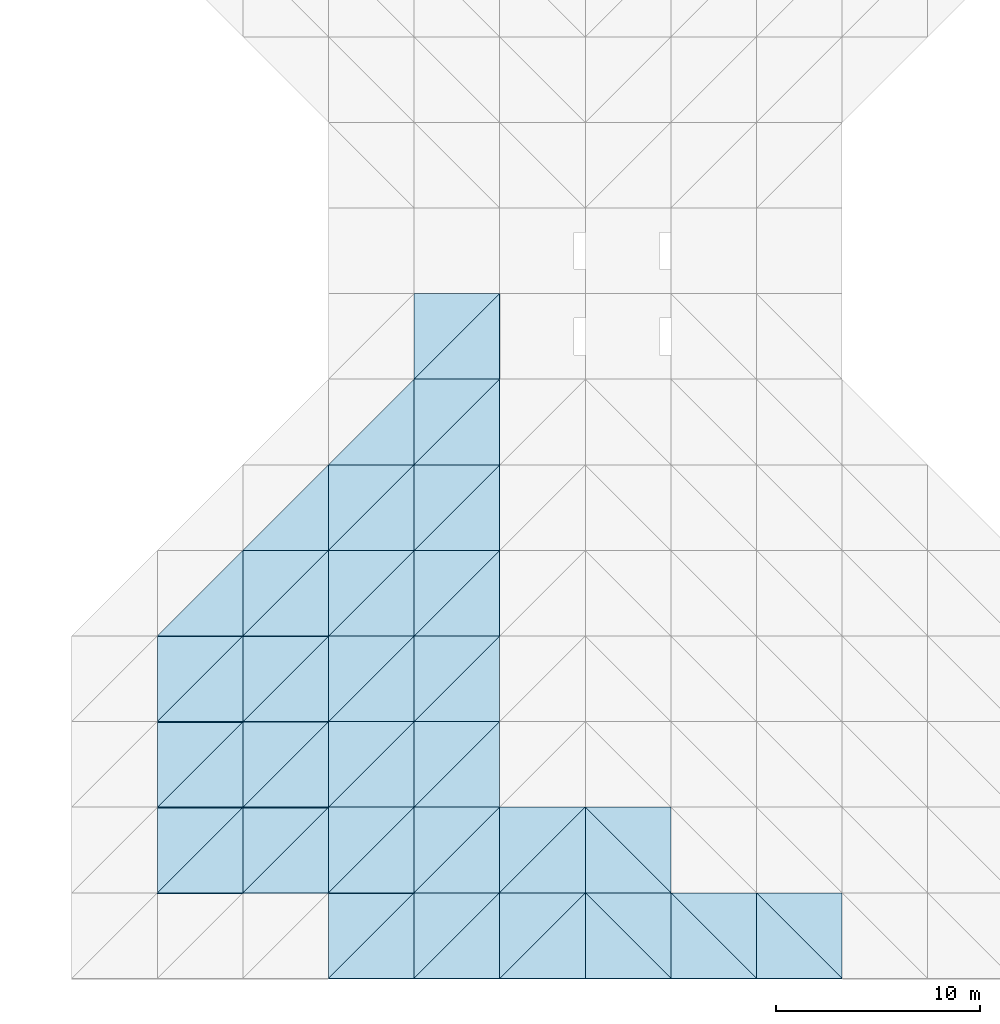
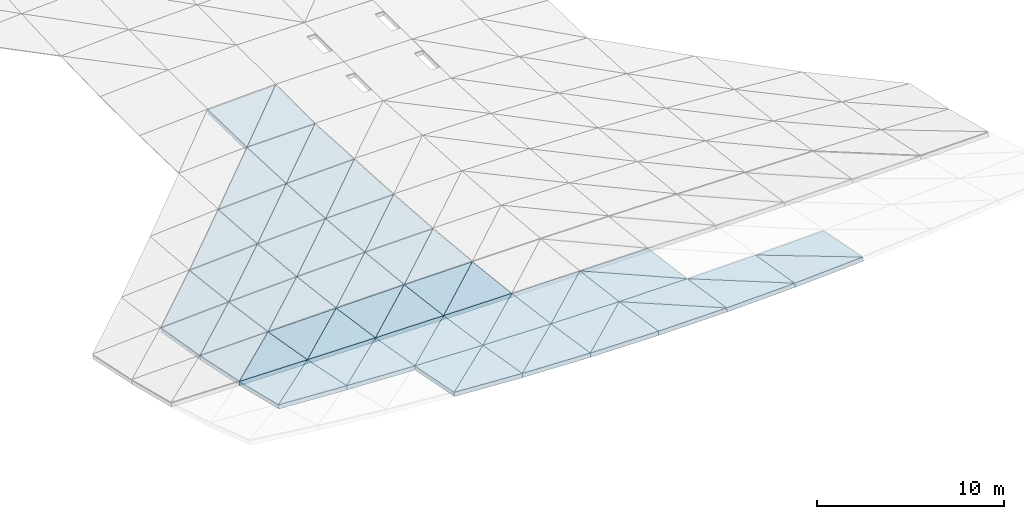
# One storey, part 21 of 64: 57 slabs.
"""IFC4 building model written with IfcOpenShell, lengths in metres."""

from ifc_helpers import new_model, si_unit, direction, frame, origin, place, context, subcontext, project, spatial, polyline, outline, extrude, material, layer, layer_set, type_object, element, save


model = new_model("IFC4")

# Units and contexts
model_context = context("Model", 3, precision=1e-05, world=origin(), true_north=direction((0.0, 1.0)))
body_context = subcontext(model_context, "Body", "Model", "MODEL_VIEW")
ifc_project = project(units=[si_unit("LENGTHUNIT", "METRE"), si_unit("AREAUNIT", "SQUARE_METRE"), si_unit("VOLUMEUNIT", "CUBIC_METRE"), si_unit("PLANEANGLEUNIT", "RADIAN"), si_unit("MASSUNIT", "GRAM", prefix="KILO")], contexts=[model_context])

# Site, building, storey
site_placement = place(None, origin())
site = spatial("IfcSite", under=ifc_project, at=site_placement, CompositionType="ELEMENT")
building_placement = place(site_placement, origin())
building = spatial("IfcBuilding", under=site, at=building_placement, Name="Cumbredor Promenade Congress Hotel", CompositionType="ELEMENT")
storey_placement = place(building_placement, frame((0.0, 0.0, 18.47998046875)))
storey = spatial("IfcBuildingStorey", under=building, at=storey_placement, Name="L05", CompositionType="ELEMENT", Elevation=18.47998046875)

# Slabs
ifc_material = material(Name="Concrete C40/50", Category="concrete")
ifc_layer = layer(ifc_material, 0.25, Name="Concrete C40/50", Category="concrete")
ifc_layer_set = layer_set([ifc_layer], Name="Concrete C40/50")
slab_type = type_object("IfcSlabType", Name="Catenary Space Frame Roof Deck 250mm", PredefinedType="ROOF", material=ifc_layer_set)
slab_1_placement = place(storey_placement, frame((142.800048828125, 4.199951171875, 3.02685546875), z_axis=(0.052565284808, 0.198655816612, 0.978658652115), x_axis=(0.998560647635, 0.0, -0.053634252073)))
element("IfcSlab", 1, at=slab_1_placement, inside=storey, type_object=slab_type, Name="Grand Ballroom Pavilion Sweeping Roof Deck Facet 2.2.1", PredefinedType="ROOF", context=body_context, shape_type="SweptSolid", body=[
    extrude(outline(polyline([(0.0, 0.0), (4.206005095257487, 0.0), (4.25173039023782, 4.285361349597198), (0.0, 0.0)])), origin(), (0.0, 0.0, -1.0), 0.25),
])
slab_2_placement = place(storey_placement, frame((142.800048828125, 4.199951171875, 3.02685546875), z_axis=(0.011857071565, 0.237480204781, 0.971320010188), x_axis=(0.695738314887, 0.695738314887, -0.178595616959)))
element("IfcSlab", 2, at=slab_2_placement, inside=storey, type_object=slab_type, Name="Grand Ballroom Pavilion Sweeping Roof Deck Facet 2.2.2", PredefinedType="ROOF", context=body_context, shape_type="SweptSolid", body=[
    extrude(outline(polyline([(0.0, 0.0), (6.036682301388186, -2.7755575615628914e-16), (3.105458836896108, 3.0083462919318045), (0.0, 0.0)])), origin(), (0.0, 0.0, -1.0), 0.25),
])
slab_3_placement = place(storey_placement, frame((142.800048828125, 8.39990234375, 2.0), z_axis=(0.012025544789, 0.171439944287, 0.985121176189), x_axis=(0.999925500788, 0.0, -0.012206263743)))
element("IfcSlab", 3, at=slab_3_placement, inside=storey, type_object=slab_type, Name="Grand Ballroom Pavilion Sweeping Roof Deck Facet 2.3.1", PredefinedType="ROOF", context=body_context, shape_type="SweptSolid", body=[
    extrude(outline(polyline([(0.0, 0.0), (4.200264088241212, 0.0), (4.20918634254922, 4.2633155217575505), (0.0, 0.0)])), origin(), (0.0, 0.0, -1.0), 0.25),
])
slab_4_placement = place(storey_placement, frame((142.800048828125, 8.39990234375, 2.0), z_axis=(-0.022865039606, 0.205090896149, 0.978475811801), x_axis=(0.701033388831, 0.701074139479, -0.130565074569)))
element("IfcSlab", 4, at=slab_4_placement, inside=storey, type_object=slab_type, Name="Grand Ballroom Pavilion Sweeping Roof Deck Facet 2.3.2", PredefinedType="ROOF", context=body_context, shape_type="SweptSolid", body=[
    extrude(outline(polyline([(0.0, 0.0), (5.991085786763676, -5.551115123125783e-17), (3.059594031858663, 3.0092487909896053), (0.0, 0.0)])), origin(), (0.0, 0.0, -1.0), 0.25),
])
slab_5_placement = place(storey_placement, frame((142.800048828125, 12.60009765625, 1.11962890625), z_axis=(-0.023120069261, 0.143436449594, 0.989389431582), x_axis=(0.999727079655, 0.0, 0.023361639599)))
element("IfcSlab", 5, at=slab_5_placement, inside=storey, type_object=slab_type, Name="Grand Ballroom Pavilion Sweeping Roof Deck Facet 2.4.1", PredefinedType="ROOF", context=body_context, shape_type="SweptSolid", body=[
    extrude(outline(polyline([(0.0, 0.0), (4.2010977369193006, -1.734723475976807e-18), (4.186873144839257, 4.243834415170376), (0.0, 0.0)])), origin(), (0.0, 0.0, -1.0), 0.25),
])
slab_6_placement = place(storey_placement, frame((142.800048828125, 12.60009765625, 1.11962890625), z_axis=(-0.052209220159, 0.17183867095, 0.983740651034), x_axis=(0.704506982586, 0.704506982586, -0.085672766818)))
element("IfcSlab", 6, at=slab_6_placement, inside=storey, type_object=slab_type, Name="Grand Ballroom Pavilion Sweeping Roof Deck Facet 2.4.2", PredefinedType="ROOF", context=body_context, shape_type="SweptSolid", body=[
    extrude(outline(polyline([(0.0, 0.0), (5.961546550548831, 1.3877787807814457e-17), (3.0217481166309876, 3.007799793571567), (0.0, 0.0)])), origin(), (0.0, 0.0, -1.0), 0.25),
])
slab_7_placement = place(storey_placement, frame((142.800048828125, 16.800048828125, 0.385986328125), z_axis=(-0.052645368045, 0.115093269022, 0.991958670837), x_axis=(0.99859464216, 0.0, 0.052997553234)))
element("IfcSlab", 7, at=slab_7_placement, inside=storey, type_object=slab_type, Name="Grand Ballroom Pavilion Sweeping Roof Deck Facet 2.5.1", PredefinedType="ROOF", context=body_context, shape_type="SweptSolid", body=[
    extrude(outline(polyline([(0.0, 0.0), (4.205861912887175, -3.469446951953614e-18), (4.180035956769995, 4.228047862144455), (0.0, 0.0)])), origin(), (0.0, 0.0, -1.0), 0.25),
])
slab_8_placement = place(storey_placement, frame((147.0, 4.199951171875, 2.80126953125), z_axis=(0.041164007817, 0.168148387982, 0.984901844896), x_axis=(0.999127730104, 0.0, -0.041758579198)))
element("IfcSlab", 8, at=slab_8_placement, inside=storey, type_object=slab_type, Name="Grand Ballroom Pavilion Sweeping Roof Deck Facet 3.2.1", PredefinedType="ROOF", context=body_context, shape_type="SweptSolid", body=[
    extrude(outline(polyline([(0.0, 0.0), (4.203617861188373, 0.0), (4.233560475227639, 4.260615108653587), (0.0, 0.0)])), origin(), (0.0, 0.0, -1.0), 0.25),
])
slab_9_placement = place(storey_placement, frame((147.0, 4.199951171875, 2.80126953125), z_axis=(0.009342277809, 0.198922159191, 0.979970763048), x_axis=(0.699255357057, 0.699255357057, -0.148606498018)))
element("IfcSlab", 9, at=slab_9_placement, inside=storey, type_object=slab_type, Name="Grand Ballroom Pavilion Sweeping Roof Deck Facet 3.2.2", PredefinedType="ROOF", context=body_context, shape_type="SweptSolid", body=[
    extrude(outline(polyline([(0.0, 0.0), (6.006319621989566, -4.163336342344337e-17), (3.0635312008145505, 2.9968632402661157), (0.0, 0.0)])), origin(), (0.0, 0.0, -1.0), 0.25),
])
slab_10_placement = place(storey_placement, frame((147.0, 8.39990234375, 1.94873046875), z_axis=(0.009432383044, 0.144755659351, 0.989422472575), x_axis=(0.999954561946, 0.0, -0.009532787779)))
element("IfcSlab", 10, at=slab_10_placement, inside=storey, type_object=slab_type, Name="Grand Ballroom Pavilion Sweeping Roof Deck Facet 3.3.1", PredefinedType="ROOF", context=body_context, shape_type="SweptSolid", body=[
    extrude(outline(polyline([(0.0, 0.0), (4.20014201815368, -8.673617379884035e-19), (4.205999934862496, 4.244905063526538), (0.0, 0.0)])), origin(), (0.0, 0.0, -1.0), 0.25),
])
slab_11_placement = place(storey_placement, frame((147.0, 8.39990234375, 1.94873046875), z_axis=(-0.01792220529, 0.171424803992, 0.985034177648), x_axis=(0.702831823253, 0.702872678442, -0.109532762782)))
element("IfcSlab", 11, at=slab_11_placement, inside=storey, type_object=slab_type, Name="Grand Ballroom Pavilion Sweeping Roof Deck Facet 3.3.2", PredefinedType="ROOF", context=body_context, shape_type="SweptSolid", body=[
    extrude(outline(polyline([(0.0, 0.0), (5.975755554774357, -3.7470027081099033e-16), (3.032266272384999, 2.9968817290705974), (0.0, 0.0)])), origin(), (0.0, 0.0, -1.0), 0.25),
])
slab_12_placement = place(storey_placement, frame((147.0, 12.60009765625, 1.2177734375), z_axis=(-0.018057742267, 0.12103879641, 0.992483515081), x_axis=(0.999834521151, 0.0, 0.018191490154)))
element("IfcSlab", 12, at=slab_12_placement, inside=storey, type_object=slab_type, Name="Grand Ballroom Pavilion Sweeping Roof Deck Facet 3.4.1", PredefinedType="ROOF", context=body_context, shape_type="SweptSolid", body=[
    extrude(outline(polyline([(0.0, 0.0), (4.2006462899866, 1.734723475976807e-18), (4.191328480820773, 4.231058858894363), (0.0, 0.0)])), origin(), (0.0, 0.0, -1.0), 0.25),
])
slab_13_placement = place(storey_placement, frame((147.0, 12.60009765625, 1.2177734375), z_axis=(-0.040753458414, 0.143355606889, 0.988831798437), x_axis=(0.705211193086, 0.705211193086, -0.073173398806)))
element("IfcSlab", 13, at=slab_13_placement, inside=storey, type_object=slab_type, Name="Grand Ballroom Pavilion Sweeping Roof Deck Facet 3.4.2", PredefinedType="ROOF", context=body_context, shape_type="SweptSolid", body=[
    extrude(outline(polyline([(0.0, 0.0), (5.955593463423091, 4.163336342344337e-17), (3.0064068875190855, 2.995304743942114), (0.0, 0.0)])), origin(), (0.0, 0.0, -1.0), 0.25),
])
slab_14_placement = place(storey_placement, frame((147.0, 16.800048828125, 0.60888671875), z_axis=(-0.040984605326, 0.096998826145, 0.994440289737), x_axis=(0.999151794145, 0.0, 0.041178784052)))
element("IfcSlab", 14, at=slab_14_placement, inside=storey, type_object=slab_type, Name="Grand Ballroom Pavilion Sweeping Roof Deck Facet 3.5.1", PredefinedType="ROOF", context=body_context, shape_type="SweptSolid", body=[
    extrude(outline(polyline([(0.0, 0.0), (4.203516619281352, 3.469446951953614e-18), (4.186646990463114, 4.219849891450817), (0.0, 0.0)])), origin(), (0.0, 0.0, -1.0), 0.25),
])
slab_15_placement = place(storey_placement, frame((147.0, 16.800048828125, 0.60888671875), z_axis=(-0.05919707046, 0.115050976279, 0.991594160787), x_axis=(0.706546575075, 0.706546575075, -0.039797920784)))
element("IfcSlab", 15, at=slab_15_placement, inside=storey, type_object=slab_type, Name="Grand Ballroom Pavilion Sweeping Roof Deck Facet 3.5.2", PredefinedType="ROOF", context=body_context, shape_type="SweptSolid", body=[
    extrude(outline(polyline([(0.0, 0.0), (5.944337316230575, 1.4224732503009818e-16), (2.986854829322584, 2.9926165696837965), (0.0, 0.0)])), origin(), (0.0, 0.0, -1.0), 0.25),
])
slab_16_placement = place(storey_placement, frame((147.0, 21.0, 0.12158203125), z_axis=(-0.059434651655, 0.072803107869, 0.995573819296), x_axis=(0.998222770352, 0.0, 0.059592791092)))
element("IfcSlab", 16, at=slab_16_placement, inside=storey, type_object=slab_type, Name="Grand Ballroom Pavilion Sweeping Roof Deck Facet 3.6.1", PredefinedType="ROOF", context=body_context, shape_type="SweptSolid", body=[
    extrude(outline(polyline([(0.0, 0.0), (4.207428738970333, -3.469446951953614e-18), (4.18912607022193, 4.211126099216835), (0.0, 0.0)])), origin(), (0.0, 0.0, -1.0), 0.25),
])
slab_17_placement = place(storey_placement, frame((151.199951171875, 0.0, 3.445068359375), z_axis=(0.055342530466, 0.166142053717, 0.984547623179), x_axis=(0.998423888695, 0.0, -0.056122530975)))
element("IfcSlab", 17, at=slab_17_placement, inside=storey, type_object=slab_type, Name="Grand Ballroom Pavilion Sweeping Roof Deck Facet 4.1.1", PredefinedType="ROOF", context=body_context, shape_type="SweptSolid", body=[
    extrude(outline(polyline([(0.0, 0.0), (4.206581212078588, 6.938893903907228e-18), (4.246357507835741, 4.259145502592269), (0.0, 0.0)])), origin(), (0.0, 0.0, -1.0), 0.25),
])
slab_18_placement = place(storey_placement, frame((151.199951171875, 0.0, 3.445068359375), z_axis=(0.029313092974, 0.191390544791, 0.981076144825), x_axis=(0.698326858274, 0.698326858274, -0.157096142622)))
element("IfcSlab", 18, at=slab_18_placement, inside=storey, type_object=slab_type, Name="Grand Ballroom Pavilion Sweeping Roof Deck Facet 4.1.2", PredefinedType="ROOF", context=body_context, shape_type="SweptSolid", body=[
    extrude(outline(polyline([(0.0, 0.0), (6.014305653739666, 8.326672684688674e-17), (3.0616532220518025, 2.9895117950115218), (0.0, 0.0)])), origin(), (0.0, 0.0, -1.0), 0.25),
])
slab_19_placement = place(storey_placement, frame((151.199951171875, 4.199951171875, 2.625732421875), z_axis=(0.029545158149, 0.14600136517, 0.988843104339), x_axis=(0.99955393597, 0.0, -0.029865181834)))
element("IfcSlab", 19, at=slab_19_placement, inside=storey, type_object=slab_type, Name="Grand Ballroom Pavilion Sweeping Roof Deck Facet 4.2.1", PredefinedType="ROOF", context=body_context, shape_type="SweptSolid", body=[
    extrude(outline(polyline([(0.0, 0.0), (4.201825455068936, 0.0), (4.220345367631959, 4.245443697095245), (0.0, 0.0)])), origin(), (0.0, 0.0, -1.0), 0.25),
])
slab_20_placement = place(storey_placement, frame((151.199951171875, 4.199951171875, 2.625732421875), z_axis=(0.006703986431, 0.168287249121, 0.98571520144), x_axis=(0.701600495916, 0.701600495916, -0.124553154364)))
element("IfcSlab", 20, at=slab_20_placement, inside=storey, type_object=slab_type, Name="Grand Ballroom Pavilion Sweeping Roof Deck Facet 4.2.2", PredefinedType="ROOF", context=body_context, shape_type="SweptSolid", body=[
    extrude(outline(polyline([(0.0, 0.0), (5.98624316306131, 8.326672684688674e-17), (3.0359975453132293, 2.989390668526742), (0.0, 0.0)])), origin(), (0.0, 0.0, -1.0), 0.25),
])
slab_21_placement = place(storey_placement, frame((151.199951171875, 8.39990234375, 1.90869140625), z_axis=(0.006747179594, 0.125536377656, 0.992066073128), x_axis=(0.999976873054, 0.0, -0.006800982047)))
element("IfcSlab", 21, at=slab_21_placement, inside=storey, type_object=slab_type, Name="Grand Ballroom Pavilion Sweeping Roof Deck Facet 4.3.1", PredefinedType="ROOF", context=body_context, shape_type="SweptSolid", body=[
    extrude(outline(polyline([(0.0, 0.0), (4.200048306164646, 0.0), (4.2036629882729, 4.233687945366184), (0.0, 0.0)])), origin(), (0.0, 0.0, -1.0), 0.25),
])
slab_22_placement = place(storey_placement, frame((151.199951171875, 8.39990234375, 1.90869140625), z_axis=(-0.012825256023, 0.14475019298, 0.989385109267), x_axis=(0.703963880074, 0.704004801069, -0.093872762942)))
element("IfcSlab", 22, at=slab_22_placement, inside=storey, type_object=slab_type, Name="Grand Ballroom Pavilion Sweeping Roof Deck Facet 4.3.2", PredefinedType="ROOF", context=body_context, shape_type="SweptSolid", body=[
    extrude(outline(polyline([(0.0, 0.0), (5.966145836108467, -3.469446951953614e-17), (3.014642661601845, 2.9885084802274804), (0.0, 0.0)])), origin(), (0.0, 0.0, -1.0), 0.25),
])
slab_23_placement = place(storey_placement, frame((151.199951171875, 12.60009765625, 1.294189453125), z_axis=(-0.012890312655, 0.104856624021, 0.994403805422), x_axis=(0.999915992778, 0.0, 0.012961766342)))
element("IfcSlab", 23, at=slab_23_placement, inside=storey, type_object=slab_type, Name="Grand Ballroom Pavilion Sweeping Roof Deck Facet 4.4.1", PredefinedType="ROOF", context=body_context, shape_type="SweptSolid", body=[
    extrude(outline(polyline([(0.0, 0.0), (4.20030402774778, 0.0), (4.194563636110758, 4.2232323757659085), (0.0, 0.0)])), origin(), (0.0, 0.0, -1.0), 0.25),
])
slab_24_placement = place(storey_placement, frame((151.199951171875, 12.60009765625, 1.294189453125), z_axis=(-0.029242340256, 0.121006765005, 0.992220866722), x_axis=(0.705599595622, 0.705599595622, -0.065256580633)))
element("IfcSlab", 24, at=slab_24_placement, inside=storey, type_object=slab_type, Name="Grand Ballroom Pavilion Sweeping Roof Deck Facet 4.4.2", PredefinedType="ROOF", context=body_context, shape_type="SweptSolid", body=[
    extrude(outline(polyline([(0.0, 0.0), (5.952315162783306, -5.412337245047638e-16), (2.996908727943137, 2.9867179253110545), (0.0, 0.0)])), origin(), (0.0, 0.0, -1.0), 0.25),
])
slab_25_placement = place(storey_placement, frame((151.199951171875, 16.800048828125, 0.781982421875), z_axis=(-0.029354670726, 0.084011099061, 0.99603234814), x_axis=(0.999565994989, 0.0, 0.029458812966)))
element("IfcSlab", 25, at=slab_25_placement, inside=storey, type_object=slab_type, Name="Grand Ballroom Pavilion Sweeping Roof Deck Facet 4.5.1", PredefinedType="ROOF", context=body_context, shape_type="SweptSolid", body=[
    extrude(outline(polyline([(0.0, 0.0), (4.201774763176752, 0.0), (4.19133903622018, 4.214851435157807), (0.0, 0.0)])), origin(), (0.0, 0.0, -1.0), 0.25),
])
slab_26_placement = place(storey_placement, frame((151.199951171875, 16.800048828125, 0.781982421875), z_axis=(-0.042427203509, 0.096992980229, 0.9943803569), x_axis=(0.706575076415, 0.706575076415, -0.038772706629)))
element("IfcSlab", 26, at=slab_26_placement, inside=storey, type_object=slab_type, Name="Grand Ballroom Pavilion Sweeping Roof Deck Facet 4.5.2", PredefinedType="ROOF", context=body_context, shape_type="SweptSolid", body=[
    extrude(outline(polyline([(0.0, 0.0), (5.944097537641433, -1.3877787807814457e-16), (2.983464756172851, 2.984351812274888), (0.0, 0.0)])), origin(), (0.0, 0.0, -1.0), 0.25),
])
slab_27_placement = place(storey_placement, frame((151.199951171875, 21.0, 0.372314453125), z_axis=(-0.042543191666, 0.06311925848, 0.997098809573), x_axis=(0.999091005461, 0.0, 0.042628192641)))
element("IfcSlab", 27, at=slab_27_placement, inside=storey, type_object=slab_type, Name="Grand Ballroom Pavilion Sweeping Roof Deck Facet 4.6.1", PredefinedType="ROOF", context=body_context, shape_type="SweptSolid", body=[
    extrude(outline(polyline([(0.0, 0.0), (4.203772378011778, 0.0), (4.192438857067843, 4.208342642581979), (0.0, 0.0)])), origin(), (0.0, 0.0, -1.0), 0.25),
])
slab_28_placement = place(storey_placement, frame((151.199951171875, 21.0, 0.372314453125), z_axis=(-0.052279466529, 0.072832302208, 0.995973048398), x_axis=(0.707031514293, 0.707031514293, -0.014590256791)))
element("IfcSlab", 28, at=slab_28_placement, inside=storey, type_object=slab_type, Name="Grand Ballroom Pavilion Sweeping Roof Deck Facet 4.6.2", PredefinedType="ROOF", context=body_context, shape_type="SweptSolid", body=[
    extrude(outline(polyline([(0.0, 0.0), (5.940260210430701, 2.0383000842727483e-16), (2.9739789266173466, 2.9815042101637967), (0.0, 0.0)])), origin(), (0.0, 0.0, -1.0), 0.25),
])
slab_29_placement = place(storey_placement, frame((151.199951171875, 25.199951171875, 0.065185546875), z_axis=(-0.052372191237, 0.042106545778, 0.997739541357), x_axis=(0.998625195951, 0.0, 0.052418679994)))
element("IfcSlab", 29, at=slab_29_placement, inside=storey, type_object=slab_type, Name="Grand Ballroom Pavilion Sweeping Roof Deck Facet 4.7.1", PredefinedType="ROOF", context=body_context, shape_type="SweptSolid", body=[
    extrude(outline(polyline([(0.0, 0.0), (4.2057332309510365, 0.0), (4.1964422246824995, 4.203679305214223), (0.0, 0.0)])), origin(), (0.0, 0.0, -1.0), 0.25),
])
slab_30_placement = place(storey_placement, frame((155.39990234375, 0.0, 3.208984375), z_axis=(0.033364758538, 0.151040302528, 0.987964381898), x_axis=(0.999430239795, 0.0, -0.033751974501)))
element("IfcSlab", 30, at=slab_30_placement, inside=storey, type_object=slab_type, Name="Grand Ballroom Pavilion Sweeping Roof Deck Facet 5.1.1", PredefinedType="ROOF", context=body_context, shape_type="SweptSolid", body=[
    extrude(outline(polyline([(0.0, 0.0), (4.202589780913907, 3.469446951953614e-18), (4.224261580947727, 4.248693863608484), (0.0, 0.0)])), origin(), (0.0, 0.0, -1.0), 0.25),
])
slab_31_placement = place(storey_placement, frame((155.39990234375, 0.0, 3.208984375), z_axis=(0.017650477076, 0.166371147608, 0.985905219533), x_axis=(0.701048001416, 0.701007252288, -0.130845450625)))
element("IfcSlab", 31, at=slab_31_placement, inside=storey, type_object=slab_type, Name="Grand Ballroom Pavilion Sweeping Roof Deck Facet 5.1.2", PredefinedType="ROOF", context=body_context, shape_type="SweptSolid", body=[
    extrude(outline(polyline([(0.0, 0.0), (5.991309160019649, -6.938893903907228e-17), (3.036931666083743, 2.986460885646075), (0.0, 0.0)])), origin(), (0.0, 0.0, -1.0), 0.25),
])
slab_32_placement = place(storey_placement, frame((155.39990234375, 4.199951171875, 2.500244140625), z_axis=(0.017741856006, 0.132610800752, 0.99100938546), x_axis=(0.99983978315, 0.0, -0.017899944967)))
element("IfcSlab", 32, at=slab_32_placement, inside=storey, type_object=slab_type, Name="Grand Ballroom Pavilion Sweeping Roof Deck Facet 5.2.1", PredefinedType="ROOF", context=body_context, shape_type="SweptSolid", body=[
    extrude(outline(polyline([(0.0, 0.0), (4.200868362394726, 1.734723475976807e-18), (4.210928341231096, 4.237374873075586), (0.0, 0.0)])), origin(), (0.0, 0.0, -1.0), 0.25),
])
slab_33_placement = place(storey_placement, frame((155.39990234375, 4.199951171875, 2.500244140625), z_axis=(0.004025150391, 0.146063947144, 0.989266961699), x_axis=(0.703093144395, 0.703052276391, -0.106665490983)))
element("IfcSlab", 33, at=slab_33_placement, inside=storey, type_object=slab_type, Name="Grand Ballroom Pavilion Sweeping Roof Deck Facet 5.2.2", PredefinedType="ROOF", context=body_context, shape_type="SweptSolid", body=[
    extrude(outline(polyline([(0.0, 0.0), (5.973881762301259, -1.249000902703301e-16), (3.018930336388315, 2.9849949407664718), (0.0, 0.0)])), origin(), (0.0, 0.0, -1.0), 0.25),
])
slab_34_placement = place(storey_placement, frame((155.39990234375, 8.39990234375, 1.880126953125), z_axis=(0.004042292465, 0.113934900489, 0.993479993921), x_axis=(0.99999172245, 0.0, -0.004068787524)))
element("IfcSlab", 34, at=slab_34_placement, inside=storey, type_object=slab_type, Name="Grand Ballroom Pavilion Sweeping Roof Deck Facet 5.3.1", PredefinedType="ROOF", context=body_context, shape_type="SweptSolid", body=[
    extrude(outline(polyline([(0.0, 0.0), (4.200230080115418, 0.0), (4.202189972152976, 4.227725340087981), (0.0, 0.0)])), origin(), (0.0, 0.0, -1.0), 0.25),
])
slab_35_placement = place(storey_placement, frame((155.39990234375, 8.39990234375, 1.880126953125), z_axis=(-0.007727035053, 0.125535487394, 0.992059037726), x_axis=(0.704626998506, 0.704626998506, -0.083675480002)))
element("IfcSlab", 35, at=slab_35_placement, inside=storey, type_object=slab_type, Name="Grand Ballroom Pavilion Sweeping Roof Deck Facet 5.3.2", PredefinedType="ROOF", context=body_context, shape_type="SweptSolid", body=[
    extrude(outline(polyline([(0.0, 0.0), (5.960877629450639, -2.0122792321330962e-16), (3.004044043519712, 2.9832609790729707), (0.0, 0.0)])), origin(), (0.0, 0.0, -1.0), 0.25),
])
slab_36_placement = place(storey_placement, frame((155.39990234375, 12.60009765625, 1.3486328125), z_axis=(-0.007753328567, 0.095128456032, 0.995434810899), x_axis=(0.999969668005, 0.0, 0.007788650053)))
element("IfcSlab", 36, at=slab_36_placement, inside=storey, type_object=slab_type, Name="Grand Ballroom Pavilion Sweeping Roof Deck Facet 5.4.1", PredefinedType="ROOF", context=body_context, shape_type="SweptSolid", body=[
    extrude(outline(polyline([(0.0, 0.0), (4.200322716666966, 0.0), (4.197196608100751, 4.219084698460209), (0.0, 0.0)])), origin(), (0.0, 0.0, -1.0), 0.25),
])
slab_37_placement = place(storey_placement, frame((155.39990234375, 12.60009765625, 1.3486328125), z_axis=(-0.017570170079, 0.104849148819, 0.994332914629), x_axis=(0.705769314453, 0.705728290894, -0.061945574565)))
element("IfcSlab", 37, at=slab_37_placement, inside=storey, type_object=slab_type, Name="Grand Ballroom Pavilion Sweeping Roof Deck Facet 5.4.2", PredefinedType="ROOF", context=body_context, shape_type="SweptSolid", body=[
    extrude(outline(polyline([(0.0, 0.0), (5.951229709886314, -5.898059818321144e-16), (2.9914582667259104, 2.9810907551181196), (0.0, 0.0)])), origin(), (0.0, 0.0, -1.0), 0.25),
])
slab_38_placement = place(storey_placement, frame((155.39990234375, 16.800048828125, 0.90576171875), z_axis=(-0.017616175654, 0.076205978844, 0.996936466955), x_axis=(0.999843916636, 0.0, 0.017667551189)))
element("IfcSlab", 38, at=slab_38_placement, inside=storey, type_object=slab_type, Name="Grand Ballroom Pavilion Sweeping Roof Deck Facet 5.5.1", PredefinedType="ROOF", context=body_context, shape_type="SweptSolid", body=[
    extrude(outline(polyline([(0.0, 0.0), (4.200850995453009, 0.0), (4.195178917861777, 4.2121998427818825), (0.0, 0.0)])), origin(), (0.0, 0.0, -1.0), 0.25),
])
slab_39_placement = place(storey_placement, frame((155.39990234375, 16.800048828125, 0.90576171875), z_axis=(-0.025476683623, 0.084020038151, 0.996138329641), x_axis=(0.706517592658, 0.706476525605, -0.041518791338)))
element("IfcSlab", 39, at=slab_39_placement, inside=storey, type_object=slab_type, Name="Grand Ballroom Pavilion Sweeping Roof Deck Facet 5.5.2", PredefinedType="ROOF", context=body_context, shape_type="SweptSolid", body=[
    extrude(outline(polyline([(0.0, 0.0), (5.944926716823651, -1.249000902703301e-16), (2.9818748623549083, 2.978842699792125), (0.0, 0.0)])), origin(), (0.0, 0.0, -1.0), 0.25),
])
slab_40_placement = place(storey_placement, frame((155.39990234375, 21.0, 0.551513671875), z_axis=(-0.025525222763, 0.05720302872, 0.998036210019), x_axis=(0.999673108598, 0.0, 0.025567087176)))
element("IfcSlab", 40, at=slab_40_placement, inside=storey, type_object=slab_type, Name="Grand Ballroom Pavilion Sweeping Roof Deck Facet 5.6.1", PredefinedType="ROOF", context=body_context, shape_type="SweptSolid", body=[
    extrude(outline(polyline([(0.0, 0.0), (4.201568769206984, -8.673617379884035e-19), (4.195414192069303, 4.2068395933938945), (0.0, 0.0)])), origin(), (0.0, 0.0, -1.0), 0.25),
])
slab_41_placement = place(storey_placement, frame((155.39990234375, 21.0, 0.551513671875), z_axis=(-0.031483761975, 0.063145137762, 0.997507626191), x_axis=(0.70694932997, 0.706908237821, -0.022436313309)))
element("IfcSlab", 41, at=slab_41_placement, inside=storey, type_object=slab_type, Name="Grand Ballroom Pavilion Sweeping Roof Deck Facet 5.6.2", PredefinedType="ROOF", context=body_context, shape_type="SweptSolid", body=[
    extrude(outline(polyline([(0.0, 0.0), (5.941296121854476, 2.0816681711721685e-17), (2.974945205184085, 2.976571395452004), (0.0, 0.0)])), origin(), (0.0, 0.0, -1.0), 0.25),
])
slab_42_placement = place(storey_placement, frame((155.39990234375, 25.199951171875, 0.28564453125), z_axis=(-0.031494975449, 0.057251100833, 0.997862905401), x_axis=(0.999502278427, 0.0, 0.031546718041)))
element("IfcSlab", 42, at=slab_42_placement, inside=storey, type_object=slab_type, Name="Grand Ballroom Pavilion Sweeping Roof Deck Facet 5.7.1", PredefinedType="ROOF", context=body_context, shape_type="SweptSolid", body=[
    extrude(outline(polyline([(0.0, 0.0), (4.202286881336679, 8.673617379884035e-19), (4.194685169738301, 4.206851204560384), (0.0, 0.0)])), origin(), (0.0, 0.0, -1.0), 0.25),
])
slab_43_placement = place(storey_placement, frame((155.39990234375, 25.199951171875, 0.28564453125), z_axis=(-0.016374763877, 0.042158757524, 0.998976729595), x_axis=(0.707009609091, 0.706968513438, -0.0182464698)))
element("IfcSlab", 43, at=slab_43_placement, inside=storey, type_object=slab_type, Name="Grand Ballroom Pavilion Sweeping Roof Deck Facet 5.7.2", PredefinedType="ROOF", context=body_context, shape_type="SweptSolid", body=[
    extrude(outline(polyline([(0.0, 0.0), (5.940789571305619, -1.240327285323417e-16), (2.972467351990176, 2.9724474537384737), (0.0, 0.0)])), origin(), (0.0, 0.0, -1.0), 0.25),
])
slab_44_placement = place(storey_placement, frame((155.39990234375, 29.39990234375, 0.1083984375), z_axis=(-0.016389335236, 0.0, 0.999865685825), x_axis=(0.999865685825, 0.0, 0.016389335236)))
element("IfcSlab", 44, at=slab_44_placement, inside=storey, type_object=slab_type, Name="Grand Ballroom Pavilion Sweeping Roof Deck Facet 5.8.1", PredefinedType="ROOF", context=body_context, shape_type="SweptSolid", body=[
    extrude(outline(polyline([(0.0, 0.0), (4.200759534050729, 0.0), (4.200759534050729, 4.200195312500001), (0.0, 0.0)])), origin(), (0.0, 0.0, -1.0), 0.25),
])
slab_45_placement = place(storey_placement, frame((155.39990234375, 29.39990234375, 0.1083984375), z_axis=(-0.037398689542, 0.021022244742, 0.999079277759), x_axis=(0.707059289171, 0.707059289171, 0.011589788395)))
element("IfcSlab", 45, at=slab_45_placement, inside=storey, type_object=slab_type, Name="Grand Ballroom Pavilion Sweeping Roof Deck Facet 5.8.2", PredefinedType="ROOF", context=body_context, shape_type="SweptSolid", body=[
    extrude(outline(polyline([(0.0, 0.0), (5.940372153835572, -4.766152750246277e-16), (2.9687628192120625, 2.9725239809765984), (0.0, 0.0)])), origin(), (0.0, 0.0, -1.0), 0.25),
])
slab_46_placement = place(storey_placement, frame((159.60009765625, 0.0, 3.067138671875), z_axis=(0.01109796617, 0.146056135088, 0.989214051937), x_axis=(0.999937073258, 0.0, -0.011218267461)))
element("IfcSlab", 46, at=slab_46_placement, inside=storey, type_object=slab_type, Name="Grand Ballroom Pavilion Sweeping Roof Deck Facet 6.1.1", PredefinedType="ROOF", context=body_context, shape_type="SweptSolid", body=[
    extrude(outline(polyline([(0.0, 0.0), (4.200215477751995, -8.673617379884035e-19), (4.207172118218791, 4.245478392068498), (0.0, 0.0)])), origin(), (0.0, 0.0, -1.0), 0.25),
])
slab_47_placement = place(storey_placement, frame((159.60009765625, 0.0, 3.067138671875), z_axis=(0.005918458152, 0.151121795525, 0.98849743286), x_axis=(0.70268691564, 0.70268691564, -0.111634211501)))
element("IfcSlab", 47, at=slab_47_placement, inside=storey, type_object=slab_type, Name="Grand Ballroom Pavilion Sweeping Roof Deck Facet 6.1.2", PredefinedType="ROOF", context=body_context, shape_type="SweptSolid", body=[
    extrude(outline(polyline([(0.0, 0.0), (5.976987870979672, 3.191891195797325e-16), (3.0229299282219917, 2.9855927154655357), (0.0, 0.0)])), origin(), (0.0, 0.0, -1.0), 0.25),
])
slab_48_placement = place(storey_placement, frame((159.60009765625, 4.199951171875, 2.425048828125), z_axis=(0.005937895527, 0.128097124871, 0.991743852008), x_axis=(0.999982076435, 0.0, -0.005987220477)))
element("IfcSlab", 48, at=slab_48_placement, inside=storey, type_object=slab_type, Name="Grand Ballroom Pavilion Sweeping Roof Deck Facet 6.2.1", PredefinedType="ROOF", context=body_context, shape_type="SweptSolid", body=[
    extrude(outline(polyline([(0.0, 0.0), (4.200026451322731, 0.0), (4.203274401493823, 4.23483935420567), (0.0, 0.0)])), origin(), (0.0, 0.0, -1.0), 0.25),
])
slab_49_placement = place(storey_placement, frame((159.60009765625, 4.199951171875, 2.425048828125), z_axis=(0.001325163288, 0.132631560406, 0.991164523743), x_axis=(0.703899772334, 0.703899772334, -0.095132649577)))
element("IfcSlab", 49, at=slab_49_placement, inside=storey, type_object=slab_type, Name="Grand Ballroom Pavilion Sweeping Roof Deck Facet 6.2.2", PredefinedType="ROOF", context=body_context, shape_type="SweptSolid", body=[
    extrude(outline(polyline([(0.0, 0.0), (5.966689203417784, -2.5673907444456745e-16), (3.0098103375959173, 2.98269823311834), (0.0, 0.0)])), origin(), (0.0, 0.0, -1.0), 0.25),
])
slab_50_placement = place(storey_placement, frame((163.800048828125, 0.0, 3.02001953125), z_axis=(-0.01109796617, 0.146056135088, 0.989214051937), x_axis=(0.999937073258, 0.0, 0.011218267461)))
element("IfcSlab", 50, at=slab_50_placement, inside=storey, type_object=slab_type, Name="Grand Ballroom Pavilion Sweeping Roof Deck Facet 7.1.1", PredefinedType="ROOF", context=body_context, shape_type="SweptSolid", body=[
    extrude(outline(polyline([(0.0, 0.0), (4.200215477751995, 8.673617379884035e-19), (-0.006956640466795897, 4.245478392068497), (0.0, 0.0)])), origin(), (0.0, 0.0, -1.0), 0.25),
])
slab_51_placement = place(storey_placement, frame((168.0, 0.0, 3.067138671875), z_axis=(-0.005918458152, 0.151121795525, 0.98849743286), x_axis=(0.0, 0.988514745931, -0.151124442353)))
element("IfcSlab", 51, at=slab_51_placement, inside=storey, type_object=slab_type, Name="Grand Ballroom Pavilion Sweeping Roof Deck Facet 7.1.2", PredefinedType="ROOF", context=body_context, shape_type="SweptSolid", body=[
    extrude(outline(polyline([(0.0, 0.0), (4.248749135166854, -4.336808689942018e-19), (4.252549383595165, 4.200024732060812), (0.0, 0.0)])), origin(), (0.0, 0.0, -1.0), 0.25),
])
slab_52_placement = place(storey_placement, frame((163.800048828125, 4.199951171875, 2.39990234375), z_axis=(-0.005937895527, 0.128097124871, 0.991743852008), x_axis=(0.999982076435, 0.0, 0.005987220477)))
element("IfcSlab", 52, at=slab_52_placement, inside=storey, type_object=slab_type, Name="Grand Ballroom Pavilion Sweeping Roof Deck Facet 7.2.1", PredefinedType="ROOF", context=body_context, shape_type="SweptSolid", body=[
    extrude(outline(polyline([(0.0, 0.0), (4.200026451322731, 0.0), (-0.0032479501710919916, 4.23483935420567), (0.0, 0.0)])), origin(), (0.0, 0.0, -1.0), 0.25),
])
slab_53_placement = place(storey_placement, frame((168.0, 4.199951171875, 2.425048828125), z_axis=(-0.001325163288, 0.132631560406, 0.991164523743), x_axis=(0.0, 0.991165394015, -0.13263167686)))
element("IfcSlab", 53, at=slab_53_placement, inside=storey, type_object=slab_type, Name="Grand Ballroom Pavilion Sweeping Roof Deck Facet 7.2.2", PredefinedType="ROOF", context=body_context, shape_type="SweptSolid", body=[
    extrude(outline(polyline([(0.0, 0.0), (4.237386814788865, -1.0842021724855044e-19), (4.238131572739983, 4.199954859558238), (0.0, 0.0)])), origin(), (0.0, 0.0, -1.0), 0.25),
])
slab_54_placement = place(storey_placement, frame((168.0, 0.0, 3.067138671875), z_axis=(-0.033366695852, 0.151040292754, 0.987964317965), x_axis=(0.99943017361, 0.0, 0.033753934248)))
element("IfcSlab", 54, at=slab_54_placement, inside=storey, type_object=slab_type, Name="Grand Ballroom Pavilion Sweeping Roof Deck Facet 8.1.1", PredefinedType="ROOF", context=body_context, shape_type="SweptSolid", body=[
    extrude(outline(polyline([(0.0, 0.0), (4.202345779398598, 3.469446951953614e-18), (-0.021673058367218504, 4.248693857189772), (0.0, 0.0)])), origin(), (0.0, 0.0, -1.0), 0.25),
])
slab_55_placement = place(storey_placement, frame((172.199951171875, 0.0, 3.208984375), z_axis=(-0.017651502768, 0.166371144595, 0.985905201678), x_axis=(0.0, 0.986058829557, -0.166397069244)))
element("IfcSlab", 55, at=slab_55_placement, inside=storey, type_object=slab_type, Name="Grand Ballroom Pavilion Sweeping Roof Deck Facet 8.1.2", PredefinedType="ROOF", context=body_context, shape_type="SweptSolid", body=[
    extrude(outline(polyline([(0.0, 0.0), (4.259331234590252, 1.734723475976807e-18), (4.271843514211134, 4.200605625860971), (0.0, 0.0)])), origin(), (0.0, 0.0, -1.0), 0.25),
])
slab_56_placement = place(storey_placement, frame((172.199951171875, 0.0, 3.208984375), z_axis=(-0.055342530466, 0.166142053717, 0.984547623179), x_axis=(0.998423888695, 0.0, 0.056122530975)))
element("IfcSlab", 56, at=slab_56_placement, inside=storey, type_object=slab_type, Name="Grand Ballroom Pavilion Sweeping Roof Deck Facet 9.1.1", PredefinedType="ROOF", context=body_context, shape_type="SweptSolid", body=[
    extrude(outline(polyline([(0.0, 0.0), (4.206581212078588, -6.938893903907228e-18), (-0.039776295757153066, 4.25914550259227), (0.0, 0.0)])), origin(), (0.0, 0.0, -1.0), 0.25),
])
slab_57_placement = place(storey_placement, frame((176.39990234375, 0.0, 3.445068359375), z_axis=(-0.029313092974, 0.191390544791, 0.981076144825), x_axis=(0.0, 0.98149791513, -0.191472824692)))
element("IfcSlab", 57, at=slab_57_placement, inside=storey, type_object=slab_type, Name="Grand Ballroom Pavilion Sweeping Roof Deck Facet 9.1.2", PredefinedType="ROOF", context=body_context, shape_type="SweptSolid", body=[
    extrude(outline(polyline([(0.0, 0.0), (4.279123885167755, 3.469446951953614e-18), (4.303151480844435, 4.20175675515745), (0.0, 0.0)])), origin(), (0.0, 0.0, -1.0), 0.25),
])

save(model, "model.ifc")
